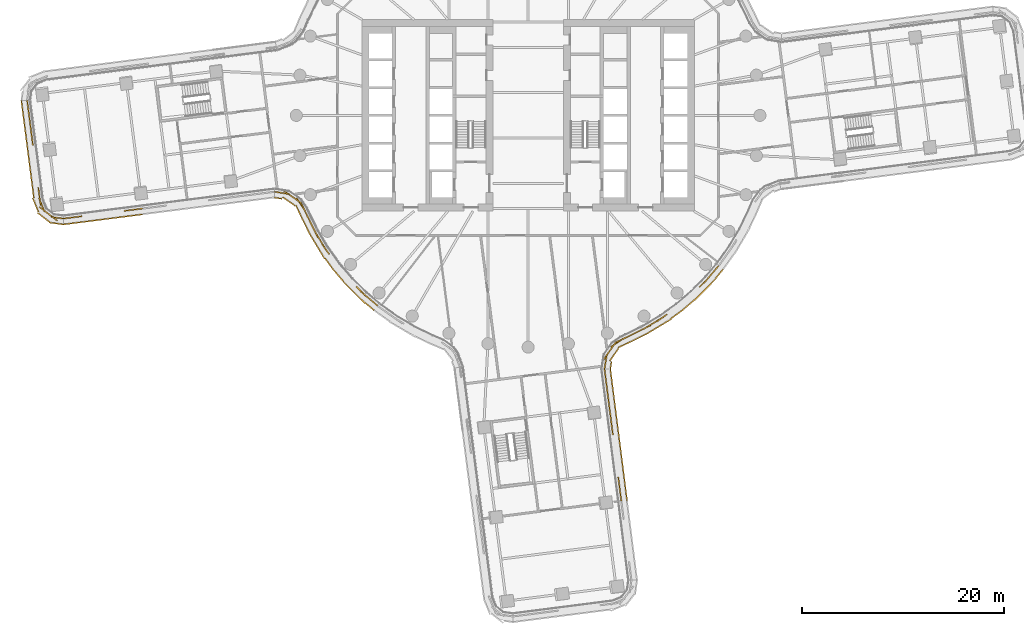
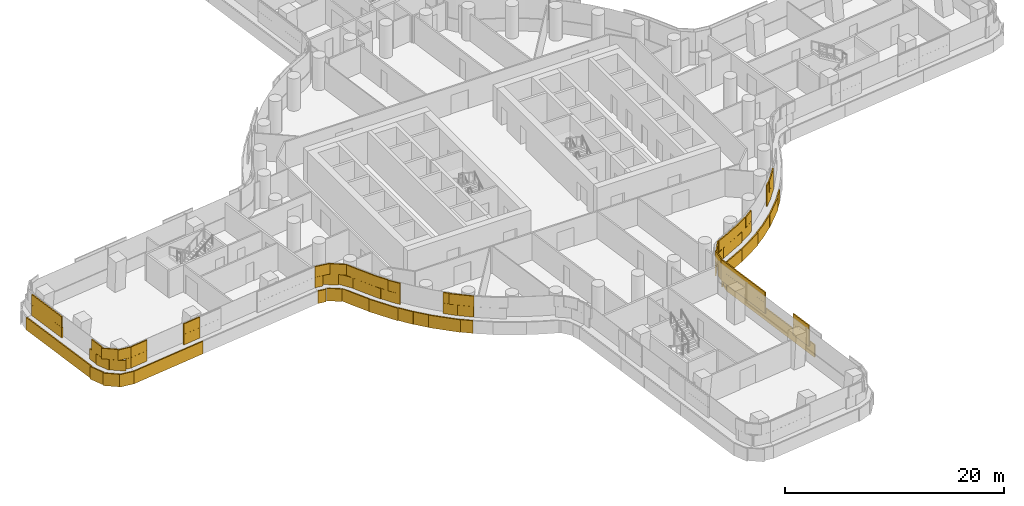
# One storey, part 26 of 31: 5 coverings.
"""IFC4 building model written with IfcOpenShell, lengths in metres."""

from ifc_helpers import new_model, si_unit, direction, frame, origin, origin_2d, place, context, subcontext, project, spatial, rectangle, extrude, material, layer, layer_set, type_object, element, save


model = new_model("IFC4")

# Units and contexts
model_context = context("Model", 3, precision=1e-05, world=origin(), true_north=direction((0.0, 1.0)))
body_context = subcontext(model_context, "Body", "Model", "MODEL_VIEW")
ifc_project = project(units=[si_unit("LENGTHUNIT", "METRE"), si_unit("AREAUNIT", "SQUARE_METRE"), si_unit("VOLUMEUNIT", "CUBIC_METRE"), si_unit("PLANEANGLEUNIT", "RADIAN"), si_unit("MASSUNIT", "GRAM", prefix="KILO")], contexts=[model_context])

# Site, building, storey
site_placement = place(None, origin())
site = spatial("IfcSite", under=ifc_project, at=site_placement, CompositionType="ELEMENT")
building_placement = place(site_placement, origin())
building = spatial("IfcBuilding", under=site, at=building_placement, Name="Tamarind Cross Interchange Tower", CompositionType="ELEMENT")
storey_placement = place(building_placement, frame((0.0, 0.0, 60.25)))
storey = spatial("IfcBuildingStorey", under=building, at=storey_placement, Name="L13", CompositionType="ELEMENT", Elevation=60.25)

# Coverings
ifc_material = material(Name="Terracotta", Category="masonry")
ifc_layer = layer(ifc_material, 0.1201171875)
ifc_layer_set = layer_set([ifc_layer], Name="Terracotta")
covering_type = type_object("IfcCoveringType", Name="Terracotta baguette screen unit", PredefinedType="MOLDING", material=ifc_layer_set)
covering_1_placement = place(storey_placement, origin())
element("IfcCovering", 1, at=covering_1_placement, inside=storey, type_object=covering_type, Name="SCR-L13-00-00", PredefinedType="MOLDING", context=body_context, shape_type="SweptSolid", body=[
    extrude(rectangle(XDim=0.760009765625, YDim=0.1201171875, at=origin_2d()), frame((-49.667236328125, 1.1240234375, 1.404052734375), z_axis=(0.0, 0.0, 1.0), x_axis=(0.127300045824, -0.991864253985, 0.0)), (0.0, 0.0, 1.0), 1.1669921875),
    extrude(rectangle(XDim=1.52001953125, YDim=0.1201171875, at=origin_2d()), frame((-49.52392578125, 0.008056640625, 1.404052734375), z_axis=(0.0, 0.0, 1.0), x_axis=(0.127300045824, -0.991864253985, 0.0)), (0.0, 0.0, 1.0), 1.1669921875),
    extrude(rectangle(XDim=1.52001953125, YDim=0.1201171875, at=origin_2d()), frame((-49.3330078125, -1.479736328125, 1.404052734375), z_axis=(0.0, 0.0, 1.0), x_axis=(0.127300045824, -0.991864253985, 0.0)), (0.0, 0.0, 1.0), 1.1669921875),
    extrude(rectangle(XDim=0.784912109375, YDim=0.1201171875, at=origin_2d()), frame((-49.188232421875, -2.60791015625, 1.404052734375), z_axis=(0.0, 0.0, 1.0), x_axis=(0.127300045824, -0.991864253985, 0.0)), (0.0, 0.0, 1.0), 1.1669921875),
    extrude(rectangle(XDim=1.03515625, YDim=0.1201171875, at=origin_2d()), frame((-48.5390625, -7.666259765625, 1.404052734375), z_axis=(0.0, 0.0, 1.0), x_axis=(0.127300045824, -0.991864253985, 0.0)), (0.0, 0.0, 1.0), 1.1669921875),
    extrude(rectangle(XDim=1.52001953125, YDim=0.1201171875, at=origin_2d()), frame((-48.258056640625, -8.886962890625, 1.404052734375), z_axis=(0.0, 0.0, 1.0), x_axis=(0.379675761037, -0.925119622795, 0.0)), (0.0, 0.0, 1.0), 1.1669921875),
    extrude(rectangle(XDim=1.52001953125, YDim=0.1201171875, at=origin_2d()), frame((-47.31591796875, -9.990478515625, 1.404052734375), z_axis=(0.0, 0.0, 1.0), x_axis=(0.791368665657, -0.611339214362, 0.0)), (0.0, 0.0, 1.0), 1.1669921875),
    extrude(rectangle(XDim=0.509521484375, YDim=0.1201171875, at=origin_2d()), frame((-46.36083984375, -10.20947265625, 1.404052734375), z_axis=(0.0, 0.0, 1.0), x_axis=(0.991014975399, -0.133750957139, 0.0)), (0.0, 0.0, 1.0), 1.1669921875),
    extrude(rectangle(XDim=1.510009765625, YDim=0.1201171875, at=origin_2d()), frame((-49.619384765625, 0.751953125, 2.5791015625), z_axis=(0.0, 0.0, 1.0), x_axis=(0.127300045824, -0.991864253985, 0.0)), (0.0, 0.0, 1.0), 1.1669921875),
    extrude(rectangle(XDim=1.52001953125, YDim=0.1201171875, at=origin_2d()), frame((-49.428466796875, -0.73583984375, 2.5791015625), z_axis=(0.0, 0.0, 1.0), x_axis=(0.127300045824, -0.991864253985, 0.0)), (0.0, 0.0, 1.0), 1.1669921875),
    extrude(rectangle(XDim=1.52001953125, YDim=0.1201171875, at=origin_2d()), frame((-49.237548828125, -2.2236328125, 2.5791015625), z_axis=(0.0, 0.0, 1.0), x_axis=(0.127300045824, -0.991864253985, 0.0)), (0.0, 0.0, 1.0), 1.1669921875),
    extrude(rectangle(XDim=1.52001953125, YDim=0.1201171875, at=origin_2d()), frame((-48.473876953125, -8.1748046875, 2.5791015625), z_axis=(0.0, 0.0, 1.0), x_axis=(0.127300045824, -0.991864253985, 0.0)), (0.0, 0.0, 1.0), 1.1669921875),
    extrude(rectangle(XDim=1.52001953125, YDim=0.1201171875, at=origin_2d()), frame((-47.909423828125, -9.531982421875, 2.5791015625), z_axis=(0.0, 0.0, 1.0), x_axis=(0.791368665657, -0.611339214362, 0.0)), (0.0, 0.0, 1.0), 1.1669921875),
    extrude(rectangle(XDim=1.259521484375, YDim=0.1201171875, at=origin_2d()), frame((-46.732421875, -10.159423828125, 2.5791015625), z_axis=(0.0, 0.0, 1.0), x_axis=(0.991014975399, -0.133750957139, 0.0)), (0.0, 0.0, 1.0), 1.1669921875),
    extrude(rectangle(XDim=0.760009765625, YDim=0.1201171875, at=origin_2d()), frame((-50.24560546875, 1.120849609375, 0.00390625), z_axis=(0.0, 0.0, 1.0), x_axis=(0.127300045824, -0.991864253985, 0.0)), (0.0, 0.0, 1.0), 1.39208984375),
    extrude(rectangle(XDim=1.52001953125, YDim=0.1201171875, at=origin_2d()), frame((-50.10302734375, 0.010009765625, 0.00390625), z_axis=(0.0, 0.0, 1.0), x_axis=(0.127300045824, -0.991864253985, 0.0)), (0.0, 0.0, 1.0), 1.39208984375),
    extrude(rectangle(XDim=1.52001953125, YDim=0.1201171875, at=origin_2d()), frame((-49.912109375, -1.477783203125, 0.00390625), z_axis=(0.0, 0.0, 1.0), x_axis=(0.127300045824, -0.991864253985, 0.0)), (0.0, 0.0, 1.0), 1.39208984375),
    extrude(rectangle(XDim=1.52001953125, YDim=0.1201171875, at=origin_2d()), frame((-49.72119140625, -2.965576171875, 0.00390625), z_axis=(0.0, 0.0, 1.0), x_axis=(0.127300045824, -0.991864253985, 0.0)), (0.0, 0.0, 1.0), 1.39208984375),
    extrude(rectangle(XDim=1.52001953125, YDim=0.1201171875, at=origin_2d()), frame((-49.530029296875, -4.453369140625, 0.00390625), z_axis=(0.0, 0.0, 1.0), x_axis=(0.127300045824, -0.991864253985, 0.0)), (0.0, 0.0, 1.0), 1.39208984375),
    extrude(rectangle(XDim=1.52001953125, YDim=0.1201171875, at=origin_2d()), frame((-49.339111328125, -5.941162109375, 0.00390625), z_axis=(0.0, 0.0, 1.0), x_axis=(0.127300045824, -0.991864253985, 0.0)), (0.0, 0.0, 1.0), 1.39208984375),
    extrude(rectangle(XDim=1.52001953125, YDim=0.1201171875, at=origin_2d()), frame((-49.148193359375, -7.428955078125, 0.00390625), z_axis=(0.0, 0.0, 1.0), x_axis=(0.127300045824, -0.991864253985, 0.0)), (0.0, 0.0, 1.0), 1.39208984375),
    extrude(rectangle(XDim=1.52001953125, YDim=0.1201171875, at=origin_2d()), frame((-48.875244140625, -8.89501953125, 0.00390625), z_axis=(0.0, 0.0, 1.0), x_axis=(0.379675761037, -0.925119622795, 0.0)), (0.0, 0.0, 1.0), 1.39208984375),
    extrude(rectangle(XDim=1.52001953125, YDim=0.1201171875, at=origin_2d()), frame((-48.08984375, -10.1181640625, 0.00390625), z_axis=(0.0, 0.0, 1.0), x_axis=(0.791368665657, -0.611339214362, 0.0)), (0.0, 0.0, 1.0), 1.39208984375),
    extrude(rectangle(XDim=1.4267578125, YDim=0.1201171875, at=origin_2d()), frame((-46.822509765625, -10.726318359375, 0.00390625), z_axis=(0.0, 0.0, 1.0), x_axis=(0.991014975399, -0.133750957139, 0.0)), (0.0, 0.0, 1.0), 1.39208984375),
])
covering_2_placement = place(storey_placement, origin())
element("IfcCovering", 2, at=covering_2_placement, inside=storey, type_object=covering_type, Name="SCR-L13-01-00", PredefinedType="MOLDING", context=body_context, shape_type="SweptSolid", body=[
    extrude(rectangle(XDim=0.760009765625, YDim=0.1201171875, at=origin_2d()), frame((-45.7412109375, -10.195556640625, 1.404052734375), z_axis=(0.0, 0.0, 1.0), x_axis=(0.992009784455, 0.126160958881, 0.0)), (0.0, 0.0, 1.0), 1.1669921875),
    extrude(rectangle(XDim=1.1142578125, YDim=0.1201171875, at=origin_2d()), frame((-44.821533203125, -10.07861328125, 1.404052734375), z_axis=(0.0, 0.0, 1.0), x_axis=(0.992009784455, 0.126160958881, 0.0)), (0.0, 0.0, 1.0), 1.1669921875),
    extrude(rectangle(XDim=0.705810546875, YDim=0.1201171875, at=origin_2d()), frame((-39.76220703125, -9.435302734375, 1.404052734375), z_axis=(0.0, 0.0, 1.0), x_axis=(0.992009784455, 0.126160958881, 0.0)), (0.0, 0.0, 1.0), 1.1669921875),
    extrude(rectangle(XDim=1.16845703125, YDim=0.1201171875, at=origin_2d()), frame((-38.842529296875, -9.318359375, 1.404052734375), z_axis=(0.0, 0.0, 1.0), x_axis=(0.992009784455, 0.126160958881, 0.0)), (0.0, 0.0, 1.0), 1.1669921875),
    extrude(rectangle(XDim=1.510009765625, YDim=0.1201171875, at=origin_2d()), frame((-45.369140625, -10.148193359375, 2.5791015625), z_axis=(0.0, 0.0, 1.0), x_axis=(0.992009784455, 0.126160958881, 0.0)), (0.0, 0.0, 1.0), 1.1669921875),
    extrude(rectangle(XDim=0.3642578125, YDim=0.1201171875, at=origin_2d()), frame((-44.449462890625, -10.03125, 2.5791015625), z_axis=(0.0, 0.0, 1.0), x_axis=(0.992009784455, 0.126160958881, 0.0)), (0.0, 0.0, 1.0), 1.1669921875),
    extrude(rectangle(XDim=1.455810546875, YDim=0.1201171875, at=origin_2d()), frame((-39.39013671875, -9.387939453125, 2.5791015625), z_axis=(0.0, 0.0, 1.0), x_axis=(0.992009784455, 0.126160958881, 0.0)), (0.0, 0.0, 1.0), 1.1669921875),
    extrude(rectangle(XDim=0.41845703125, YDim=0.1201171875, at=origin_2d()), frame((-38.470458984375, -9.27099609375, 2.5791015625), z_axis=(0.0, 0.0, 1.0), x_axis=(0.992009784455, 0.126160958881, 0.0)), (0.0, 0.0, 1.0), 1.1669921875),
    extrude(rectangle(XDim=0.760009765625, YDim=0.1201171875, at=origin_2d()), frame((-45.738525390625, -10.77392578125, 0.00390625), z_axis=(0.0, 0.0, 1.0), x_axis=(0.992009784455, 0.126160958881, 0.0)), (0.0, 0.0, 1.0), 1.39208984375),
    extrude(rectangle(XDim=1.52001953125, YDim=0.1201171875, at=origin_2d()), frame((-44.62744140625, -10.632568359375, 0.00390625), z_axis=(0.0, 0.0, 1.0), x_axis=(0.992009784455, 0.126160958881, 0.0)), (0.0, 0.0, 1.0), 1.39208984375),
    extrude(rectangle(XDim=1.52001953125, YDim=0.1201171875, at=origin_2d()), frame((-43.139404296875, -10.443359375, 0.00390625), z_axis=(0.0, 0.0, 1.0), x_axis=(0.992009784455, 0.126160958881, 0.0)), (0.0, 0.0, 1.0), 1.39208984375),
    extrude(rectangle(XDim=1.52001953125, YDim=0.1201171875, at=origin_2d()), frame((-41.6513671875, -10.254150390625, 0.00390625), z_axis=(0.0, 0.0, 1.0), x_axis=(0.992009784455, 0.126160958881, 0.0)), (0.0, 0.0, 1.0), 1.39208984375),
    extrude(rectangle(XDim=1.52001953125, YDim=0.1201171875, at=origin_2d()), frame((-40.163330078125, -10.06494140625, 0.00390625), z_axis=(0.0, 0.0, 1.0), x_axis=(0.992009784455, 0.126160958881, 0.0)), (0.0, 0.0, 1.0), 1.39208984375),
    extrude(rectangle(XDim=1.16552734375, YDim=0.1201171875, at=origin_2d()), frame((-38.85107421875, -9.89794921875, 0.00390625), z_axis=(0.0, 0.0, 1.0), x_axis=(0.992009784455, 0.126160958881, 0.0)), (0.0, 0.0, 1.0), 1.39208984375),
])
covering_3_placement = place(storey_placement, origin())
element("IfcCovering", 3, at=covering_3_placement, inside=storey, type_object=covering_type, Name="SCR-L13-02-00", PredefinedType="MOLDING", context=body_context, shape_type="SweptSolid", body=[
    extrude(rectangle(XDim=0.760009765625, YDim=0.1201171875, at=origin_2d()), frame((-24.785400390625, -7.6376953125, 1.404052734375), z_axis=(0.0, 0.0, 1.0), x_axis=(0.987085279607, -0.160195664056, 0.0)), (0.0, 0.0, 1.0), 1.1669921875),
    extrude(rectangle(XDim=1.52001953125, YDim=0.1201171875, at=origin_2d()), frame((-23.69580078125, -7.869140625, 1.404052734375), z_axis=(0.0, 0.0, 1.0), x_axis=(0.820329529316, -0.571891128916, 0.0)), (0.0, 0.0, 1.0), 1.1669921875),
    extrude(rectangle(XDim=1.52001953125, YDim=0.1201171875, at=origin_2d()), frame((-22.560546875, -8.82080078125, 1.404052734375), z_axis=(0.0, 0.0, 1.0), x_axis=(0.558933746342, -0.829212317323, 0.0)), (0.0, 0.0, 1.0), 1.1669921875),
    extrude(rectangle(XDim=1.52001953125, YDim=0.1201171875, at=origin_2d()), frame((-21.83740234375, -10.130615234375, 1.404052734375), z_axis=(0.0, 0.0, 1.0), x_axis=(0.443058811505, -0.896492548518, 0.0)), (0.0, 0.0, 1.0), 1.1669921875),
    extrude(rectangle(XDim=1.52001953125, YDim=0.1201171875, at=origin_2d()), frame((-21.1728515625, -11.475341796875, 1.404052734375), z_axis=(0.0, 0.0, 1.0), x_axis=(0.443058811505, -0.896492548518, 0.0)), (0.0, 0.0, 1.0), 1.1669921875),
    extrude(rectangle(XDim=1.52001953125, YDim=0.1201171875, at=origin_2d()), frame((-20.40576171875, -12.763916015625, 1.404052734375), z_axis=(0.0, 0.0, 1.0), x_axis=(0.515577308909, -0.856843065292, 0.0)), (0.0, 0.0, 1.0), 1.1669921875),
    extrude(rectangle(XDim=0.478759765625, YDim=0.1201171875, at=origin_2d()), frame((-19.870361328125, -13.589111328125, 1.404052734375), z_axis=(0.0, 0.0, 1.0), x_axis=(0.584573890505, -0.811340475102, 0.0)), (0.0, 0.0, 1.0), 1.1669921875),
    extrude(rectangle(XDim=1.34130859375, YDim=0.1201171875, at=origin_2d()), frame((-16.568359375, -17.4619140625, 1.404052734375), z_axis=(0.0, 0.0, 1.0), x_axis=(0.710143317658, -0.704057148523, 0.0)), (0.0, 0.0, 1.0), 1.1669921875),
    extrude(rectangle(XDim=1.52001953125, YDim=0.1201171875, at=origin_2d()), frame((-15.51025390625, -18.400634765625, 1.404052734375), z_axis=(0.0, 0.0, 1.0), x_axis=(0.765858396687, -0.643009266048, 0.0)), (0.0, 0.0, 1.0), 1.1669921875),
    extrude(rectangle(XDim=1.510009765625, YDim=0.1201171875, at=origin_2d()), frame((-24.415283203125, -7.69775390625, 2.5791015625), z_axis=(0.0, 0.0, 1.0), x_axis=(0.987085279607, -0.160195664056, 0.0)), (0.0, 0.0, 1.0), 1.1669921875),
    extrude(rectangle(XDim=1.52001953125, YDim=0.1201171875, at=origin_2d()), frame((-23.08056640625, -8.298095703125, 2.5791015625), z_axis=(0.0, 0.0, 1.0), x_axis=(0.820329529316, -0.571891128916, 0.0)), (0.0, 0.0, 1.0), 1.1669921875),
    extrude(rectangle(XDim=1.52001953125, YDim=0.1201171875, at=origin_2d()), frame((-22.162353515625, -9.45458984375, 2.5791015625), z_axis=(0.0, 0.0, 1.0), x_axis=(0.422461034467, -0.906381086716, 0.0)), (0.0, 0.0, 1.0), 1.1669921875),
    extrude(rectangle(XDim=1.52001953125, YDim=0.1201171875, at=origin_2d()), frame((-21.505126953125, -10.802978515625, 2.5791015625), z_axis=(0.0, 0.0, 1.0), x_axis=(0.443058811505, -0.896492548518, 0.0)), (0.0, 0.0, 1.0), 1.1669921875),
    extrude(rectangle(XDim=1.52001953125, YDim=0.1201171875, at=origin_2d()), frame((-20.79248046875, -12.121337890625, 2.5791015625), z_axis=(0.0, 0.0, 1.0), x_axis=(0.515577308909, -0.856843065292, 0.0)), (0.0, 0.0, 1.0), 1.1669921875),
    extrude(rectangle(XDim=1.228759765625, YDim=0.1201171875, at=origin_2d()), frame((-20.089599609375, -13.28466796875, 2.5791015625), z_axis=(0.0, 0.0, 1.0), x_axis=(0.584573890505, -0.811340475102, 0.0)), (0.0, 0.0, 1.0), 1.1669921875),
    extrude(rectangle(XDim=0.59130859375, YDim=0.1201171875, at=origin_2d()), frame((-16.834716796875, -17.19775390625, 2.5791015625), z_axis=(0.0, 0.0, 1.0), x_axis=(0.710143317658, -0.704057148523, 0.0)), (0.0, 0.0, 1.0), 1.1669921875),
    extrude(rectangle(XDim=1.52001953125, YDim=0.1201171875, at=origin_2d()), frame((-16.08447265625, -17.91845703125, 2.5791015625), z_axis=(0.0, 0.0, 1.0), x_axis=(0.765858396687, -0.643009266048, 0.0)), (0.0, 0.0, 1.0), 1.1669921875),
    extrude(rectangle(XDim=0.776123046875, YDim=0.1201171875, at=origin_2d()), frame((-15.216796875, -18.64697265625, 2.5791015625), z_axis=(0.0, 0.0, 1.0), x_axis=(0.765858396687, -0.643009266048, 0.0)), (0.0, 0.0, 1.0), 1.1669921875),
    extrude(rectangle(XDim=0.760009765625, YDim=0.1201171875, at=origin_2d()), frame((-24.79052734375, -8.21826171875, 0.00390625), z_axis=(0.0, 0.0, 1.0), x_axis=(0.987085279607, -0.160195664056, 0.0)), (0.0, 0.0, 1.0), 1.39208984375),
    extrude(rectangle(XDim=1.52001953125, YDim=0.1201171875, at=origin_2d()), frame((-23.741455078125, -8.537109375, 0.00390625), z_axis=(0.0, 0.0, 1.0), x_axis=(0.820329529316, -0.571891128916, 0.0)), (0.0, 0.0, 1.0), 1.39208984375),
    extrude(rectangle(XDim=1.52001953125, YDim=0.1201171875, at=origin_2d()), frame((-22.725341796875, -9.605712890625, 0.00390625), z_axis=(0.0, 0.0, 1.0), x_axis=(0.422461034467, -0.906381086716, 0.0)), (0.0, 0.0, 1.0), 1.39208984375),
    extrude(rectangle(XDim=1.52001953125, YDim=0.1201171875, at=origin_2d()), frame((-22.0703125, -10.954833984375, 0.00390625), z_axis=(0.0, 0.0, 1.0), x_axis=(0.443058811505, -0.896492548518, 0.0)), (0.0, 0.0, 1.0), 1.39208984375),
    extrude(rectangle(XDim=1.52001953125, YDim=0.1201171875, at=origin_2d()), frame((-21.36767578125, -12.27880859375, 0.00390625), z_axis=(0.0, 0.0, 1.0), x_axis=(0.515577308909, -0.856843065292, 0.0)), (0.0, 0.0, 1.0), 1.39208984375),
    extrude(rectangle(XDim=1.52001953125, YDim=0.1201171875, at=origin_2d()), frame((-20.59423828125, -13.564208984375, 0.00390625), z_axis=(0.0, 0.0, 1.0), x_axis=(0.515577308909, -0.856843065292, 0.0)), (0.0, 0.0, 1.0), 1.39208984375),
    extrude(rectangle(XDim=1.52001953125, YDim=0.1201171875, at=origin_2d()), frame((-19.718505859375, -14.78173828125, 0.00390625), z_axis=(0.0, 0.0, 1.0), x_axis=(0.584573890505, -0.811340475102, 0.0)), (0.0, 0.0, 1.0), 1.39208984375),
    extrude(rectangle(XDim=1.52001953125, YDim=0.1201171875, at=origin_2d()), frame((-18.780029296875, -15.950439453125, 0.00390625), z_axis=(0.0, 0.0, 1.0), x_axis=(0.64957723968, -0.760295606781, 0.0)), (0.0, 0.0, 1.0), 1.39208984375),
    extrude(rectangle(XDim=1.52001953125, YDim=0.1201171875, at=origin_2d()), frame((-17.781005859375, -17.06787109375, 0.00390625), z_axis=(0.0, 0.0, 1.0), x_axis=(0.710143317658, -0.704057148523, 0.0)), (0.0, 0.0, 1.0), 1.39208984375),
    extrude(rectangle(XDim=1.52001953125, YDim=0.1201171875, at=origin_2d()), frame((-16.7158203125, -18.1240234375, 0.00390625), z_axis=(0.0, 0.0, 1.0), x_axis=(0.710143317658, -0.704057148523, 0.0)), (0.0, 0.0, 1.0), 1.39208984375),
    extrude(rectangle(XDim=1.144775390625, YDim=0.1201171875, at=origin_2d()), frame((-15.7177734375, -18.975830078125, 0.00390625), z_axis=(0.0, 0.0, 1.0), x_axis=(0.765858396687, -0.643009266048, 0.0)), (0.0, 0.0, 1.0), 1.39208984375),
])
covering_4_placement = place(storey_placement, origin())
element("IfcCovering", 4, at=covering_4_placement, inside=storey, type_object=covering_type, Name="SCR-L13-05-01", PredefinedType="MOLDING", context=body_context, shape_type="SweptSolid", body=[
    extrude(rectangle(XDim=0.3515625, YDim=0.1201171875, at=origin_2d()), frame((9.2236328125, -38.098388671875, 1.404052734375), z_axis=(0.0, 0.0, 1.0), x_axis=(-0.126160958881, 0.992009784455, 0.0)), (0.0, 0.0, 1.0), 1.1669921875),
    extrude(rectangle(XDim=1.52001953125, YDim=0.1201171875, at=origin_2d()), frame((9.107421875, -37.18505859375, 1.404052734375), z_axis=(0.0, 0.0, 1.0), x_axis=(-0.126160958881, 0.992009784455, 0.0)), (0.0, 0.0, 1.0), 1.1669921875),
    extrude(rectangle(XDim=0.568359375, YDim=0.1201171875, at=origin_2d()), frame((8.9775390625, -36.164306640625, 1.404052734375), z_axis=(0.0, 0.0, 1.0), x_axis=(-0.126160958881, 0.992009784455, 0.0)), (0.0, 0.0, 1.0), 1.1669921875),
    extrude(rectangle(XDim=1.251708984375, YDim=0.1201171875, at=origin_2d()), frame((8.334228515625, -31.10498046875, 1.404052734375), z_axis=(0.0, 0.0, 1.0), x_axis=(-0.126160958881, 0.992009784455, 0.0)), (0.0, 0.0, 1.0), 1.1669921875),
    extrude(rectangle(XDim=1.52001953125, YDim=0.1201171875, at=origin_2d()), frame((8.161376953125, -29.7451171875, 1.404052734375), z_axis=(0.0, 0.0, 1.0), x_axis=(-0.126160958881, 0.992009784455, 0.0)), (0.0, 0.0, 1.0), 1.1669921875),
    extrude(rectangle(XDim=1.52001953125, YDim=0.1201171875, at=origin_2d()), frame((7.971923828125, -28.257080078125, 1.404052734375), z_axis=(0.0, 0.0, 1.0), x_axis=(-0.126160958881, 0.992009784455, 0.0)), (0.0, 0.0, 1.0), 1.1669921875),
    extrude(rectangle(XDim=1.52001953125, YDim=0.1201171875, at=origin_2d()), frame((7.78271484375, -26.76904296875, 1.404052734375), z_axis=(0.0, 0.0, 1.0), x_axis=(-0.126160958881, 0.992009784455, 0.0)), (0.0, 0.0, 1.0), 1.1669921875),
    extrude(rectangle(XDim=0.886474609375, YDim=0.1201171875, at=origin_2d()), frame((7.6328125, -25.59033203125, 1.404052734375), z_axis=(0.0, 0.0, 1.0), x_axis=(-0.126160958881, 0.992009784455, 0.0)), (0.0, 0.0, 1.0), 1.1669921875),
    extrude(rectangle(XDim=1.1015625, YDim=0.1201171875, at=origin_2d()), frame((9.17626953125, -37.7265625, 2.5791015625), z_axis=(0.0, 0.0, 1.0), x_axis=(-0.126160958881, 0.992009784455, 0.0)), (0.0, 0.0, 1.0), 1.1669921875),
    extrude(rectangle(XDim=1.318359375, YDim=0.1201171875, at=origin_2d()), frame((9.02490234375, -36.5361328125, 2.5791015625), z_axis=(0.0, 0.0, 1.0), x_axis=(-0.126160958881, 0.992009784455, 0.0)), (0.0, 0.0, 1.0), 1.1669921875),
    extrude(rectangle(XDim=0.501708984375, YDim=0.1201171875, at=origin_2d()), frame((8.381591796875, -31.47705078125, 2.5791015625), z_axis=(0.0, 0.0, 1.0), x_axis=(-0.126160958881, 0.992009784455, 0.0)), (0.0, 0.0, 1.0), 1.1669921875),
    extrude(rectangle(XDim=1.52001953125, YDim=0.1201171875, at=origin_2d()), frame((8.255859375, -30.489013671875, 2.5791015625), z_axis=(0.0, 0.0, 1.0), x_axis=(-0.126160958881, 0.992009784455, 0.0)), (0.0, 0.0, 1.0), 1.1669921875),
    extrude(rectangle(XDim=1.52001953125, YDim=0.1201171875, at=origin_2d()), frame((8.066650390625, -29.0009765625, 2.5791015625), z_axis=(0.0, 0.0, 1.0), x_axis=(-0.126160958881, 0.992009784455, 0.0)), (0.0, 0.0, 1.0), 1.1669921875),
    extrude(rectangle(XDim=1.52001953125, YDim=0.1201171875, at=origin_2d()), frame((7.87744140625, -27.512939453125, 2.5791015625), z_axis=(0.0, 0.0, 1.0), x_axis=(-0.126160958881, 0.992009784455, 0.0)), (0.0, 0.0, 1.0), 1.1669921875),
    extrude(rectangle(XDim=1.52001953125, YDim=0.1201171875, at=origin_2d()), frame((7.688232421875, -26.02490234375, 2.5791015625), z_axis=(0.0, 0.0, 1.0), x_axis=(-0.126160958881, 0.992009784455, 0.0)), (0.0, 0.0, 1.0), 1.1669921875),
    extrude(rectangle(XDim=0.136474609375, YDim=0.1201171875, at=origin_2d()), frame((7.585693359375, -25.21826171875, 2.5791015625), z_axis=(0.0, 0.0, 1.0), x_axis=(-0.126160958881, 0.992009784455, 0.0)), (0.0, 0.0, 1.0), 1.1669921875),
    extrude(rectangle(XDim=0.3544921875, YDim=0.1201171875, at=origin_2d()), frame((9.802001953125, -38.09716796875, 0.00390625), z_axis=(0.0, 0.0, 1.0), x_axis=(-0.126160958881, 0.992009784455, 0.0)), (0.0, 0.0, 1.0), 1.39208984375),
    extrude(rectangle(XDim=1.52001953125, YDim=0.1201171875, at=origin_2d()), frame((9.686279296875, -37.187255859375, 0.00390625), z_axis=(0.0, 0.0, 1.0), x_axis=(-0.126160958881, 0.992009784455, 0.0)), (0.0, 0.0, 1.0), 1.39208984375),
    extrude(rectangle(XDim=1.52001953125, YDim=0.1201171875, at=origin_2d()), frame((9.4970703125, -35.69921875, 0.00390625), z_axis=(0.0, 0.0, 1.0), x_axis=(-0.126160958881, 0.992009784455, 0.0)), (0.0, 0.0, 1.0), 1.39208984375),
    extrude(rectangle(XDim=1.52001953125, YDim=0.1201171875, at=origin_2d()), frame((9.307861328125, -34.21142578125, 0.00390625), z_axis=(0.0, 0.0, 1.0), x_axis=(-0.126160958881, 0.992009784455, 0.0)), (0.0, 0.0, 1.0), 1.39208984375),
    extrude(rectangle(XDim=1.52001953125, YDim=0.1201171875, at=origin_2d()), frame((9.11865234375, -32.723388671875, 0.00390625), z_axis=(0.0, 0.0, 1.0), x_axis=(-0.126160958881, 0.992009784455, 0.0)), (0.0, 0.0, 1.0), 1.39208984375),
    extrude(rectangle(XDim=1.52001953125, YDim=0.1201171875, at=origin_2d()), frame((8.929443359375, -31.2353515625, 0.00390625), z_axis=(0.0, 0.0, 1.0), x_axis=(-0.126160958881, 0.992009784455, 0.0)), (0.0, 0.0, 1.0), 1.39208984375),
    extrude(rectangle(XDim=1.52001953125, YDim=0.1201171875, at=origin_2d()), frame((8.740234375, -29.747314453125, 0.00390625), z_axis=(0.0, 0.0, 1.0), x_axis=(-0.126160958881, 0.992009784455, 0.0)), (0.0, 0.0, 1.0), 1.39208984375),
    extrude(rectangle(XDim=1.52001953125, YDim=0.1201171875, at=origin_2d()), frame((8.551025390625, -28.25927734375, 0.00390625), z_axis=(0.0, 0.0, 1.0), x_axis=(-0.126160958881, 0.992009784455, 0.0)), (0.0, 0.0, 1.0), 1.39208984375),
    extrude(rectangle(XDim=1.52001953125, YDim=0.1201171875, at=origin_2d()), frame((8.36181640625, -26.771240234375, 0.00390625), z_axis=(0.0, 0.0, 1.0), x_axis=(-0.126160958881, 0.992009784455, 0.0)), (0.0, 0.0, 1.0), 1.39208984375),
    extrude(rectangle(XDim=0.878662109375, YDim=0.1201171875, at=origin_2d()), frame((8.212890625, -25.601318359375, 0.00390625), z_axis=(0.0, 0.0, 1.0), x_axis=(-0.126160958881, 0.992009784455, 0.0)), (0.0, 0.0, 1.0), 1.39208984375),
])
covering_5_placement = place(storey_placement, origin())
element("IfcCovering", 5, at=covering_5_placement, inside=storey, type_object=covering_type, Name="SCR-L13-06-00", PredefinedType="MOLDING", context=body_context, shape_type="SweptSolid", body=[
    extrude(rectangle(XDim=0.760009765625, YDim=0.1201171875, at=origin_2d()), frame((7.6376953125, -24.785400390625, 1.404052734375), z_axis=(0.0, 0.0, 1.0), x_axis=(0.160195664056, 0.987085279607, 0.0)), (0.0, 0.0, 1.0), 1.1669921875),
    extrude(rectangle(XDim=1.52001953125, YDim=0.1201171875, at=origin_2d()), frame((7.869140625, -23.69580078125, 1.404052734375), z_axis=(0.0, 0.0, 1.0), x_axis=(0.571891128916, 0.820329529316, 0.0)), (0.0, 0.0, 1.0), 1.1669921875),
    extrude(rectangle(XDim=1.52001953125, YDim=0.1201171875, at=origin_2d()), frame((8.82080078125, -22.560546875, 1.404052734375), z_axis=(0.0, 0.0, 1.0), x_axis=(0.829212317323, 0.558933746342, 0.0)), (0.0, 0.0, 1.0), 1.1669921875),
    extrude(rectangle(XDim=1.52001953125, YDim=0.1201171875, at=origin_2d()), frame((10.130615234375, -21.83740234375, 1.404052734375), z_axis=(0.0, 0.0, 1.0), x_axis=(0.896492548518, 0.443058811505, 0.0)), (0.0, 0.0, 1.0), 1.1669921875),
    extrude(rectangle(XDim=1.52001953125, YDim=0.1201171875, at=origin_2d()), frame((11.475341796875, -21.1728515625, 1.404052734375), z_axis=(0.0, 0.0, 1.0), x_axis=(0.896492548518, 0.443058811505, 0.0)), (0.0, 0.0, 1.0), 1.1669921875),
    extrude(rectangle(XDim=1.52001953125, YDim=0.1201171875, at=origin_2d()), frame((12.763916015625, -20.40576171875, 1.404052734375), z_axis=(0.0, 0.0, 1.0), x_axis=(0.856843065292, 0.515577308909, 0.0)), (0.0, 0.0, 1.0), 1.1669921875),
    extrude(rectangle(XDim=0.478759765625, YDim=0.1201171875, at=origin_2d()), frame((13.589111328125, -19.870361328125, 1.404052734375), z_axis=(0.0, 0.0, 1.0), x_axis=(0.811340475102, 0.584573890505, 0.0)), (0.0, 0.0, 1.0), 1.1669921875),
    extrude(rectangle(XDim=1.34130859375, YDim=0.1201171875, at=origin_2d()), frame((17.4619140625, -16.568359375, 1.404052734375), z_axis=(0.0, 0.0, 1.0), x_axis=(0.704057148523, 0.710143317658, 0.0)), (0.0, 0.0, 1.0), 1.1669921875),
    extrude(rectangle(XDim=1.52001953125, YDim=0.1201171875, at=origin_2d()), frame((18.400634765625, -15.51025390625, 1.404052734375), z_axis=(0.0, 0.0, 1.0), x_axis=(0.643009266048, 0.765858396687, 0.0)), (0.0, 0.0, 1.0), 1.1669921875),
    extrude(rectangle(XDim=1.510009765625, YDim=0.1201171875, at=origin_2d()), frame((7.69775390625, -24.415283203125, 2.5791015625), z_axis=(0.0, 0.0, 1.0), x_axis=(0.160195664056, 0.987085279607, 0.0)), (0.0, 0.0, 1.0), 1.1669921875),
    extrude(rectangle(XDim=1.52001953125, YDim=0.1201171875, at=origin_2d()), frame((8.298095703125, -23.08056640625, 2.5791015625), z_axis=(0.0, 0.0, 1.0), x_axis=(0.571891128916, 0.820329529316, 0.0)), (0.0, 0.0, 1.0), 1.1669921875),
    extrude(rectangle(XDim=1.52001953125, YDim=0.1201171875, at=origin_2d()), frame((9.45458984375, -22.162353515625, 2.5791015625), z_axis=(0.0, 0.0, 1.0), x_axis=(0.906381086716, 0.422461034467, 0.0)), (0.0, 0.0, 1.0), 1.1669921875),
    extrude(rectangle(XDim=1.52001953125, YDim=0.1201171875, at=origin_2d()), frame((10.802978515625, -21.505126953125, 2.5791015625), z_axis=(0.0, 0.0, 1.0), x_axis=(0.896492548518, 0.443058811505, 0.0)), (0.0, 0.0, 1.0), 1.1669921875),
    extrude(rectangle(XDim=1.52001953125, YDim=0.1201171875, at=origin_2d()), frame((12.121337890625, -20.79248046875, 2.5791015625), z_axis=(0.0, 0.0, 1.0), x_axis=(0.856843065292, 0.515577308909, 0.0)), (0.0, 0.0, 1.0), 1.1669921875),
    extrude(rectangle(XDim=1.228759765625, YDim=0.1201171875, at=origin_2d()), frame((13.28466796875, -20.089599609375, 2.5791015625), z_axis=(0.0, 0.0, 1.0), x_axis=(0.811340475102, 0.584573890505, 0.0)), (0.0, 0.0, 1.0), 1.1669921875),
    extrude(rectangle(XDim=0.59130859375, YDim=0.1201171875, at=origin_2d()), frame((17.19775390625, -16.834716796875, 2.5791015625), z_axis=(0.0, 0.0, 1.0), x_axis=(0.704057148523, 0.710143317658, 0.0)), (0.0, 0.0, 1.0), 1.1669921875),
    extrude(rectangle(XDim=1.52001953125, YDim=0.1201171875, at=origin_2d()), frame((17.91845703125, -16.08447265625, 2.5791015625), z_axis=(0.0, 0.0, 1.0), x_axis=(0.643009266048, 0.765858396687, 0.0)), (0.0, 0.0, 1.0), 1.1669921875),
    extrude(rectangle(XDim=0.776123046875, YDim=0.1201171875, at=origin_2d()), frame((18.64697265625, -15.216796875, 2.5791015625), z_axis=(0.0, 0.0, 1.0), x_axis=(0.643009266048, 0.765858396687, 0.0)), (0.0, 0.0, 1.0), 1.1669921875),
    extrude(rectangle(XDim=0.760009765625, YDim=0.1201171875, at=origin_2d()), frame((8.21826171875, -24.79052734375, 0.00390625), z_axis=(0.0, 0.0, 1.0), x_axis=(0.160195664056, 0.987085279607, 0.0)), (0.0, 0.0, 1.0), 1.39208984375),
    extrude(rectangle(XDim=1.52001953125, YDim=0.1201171875, at=origin_2d()), frame((8.537109375, -23.741455078125, 0.00390625), z_axis=(0.0, 0.0, 1.0), x_axis=(0.571891128916, 0.820329529316, 0.0)), (0.0, 0.0, 1.0), 1.39208984375),
    extrude(rectangle(XDim=1.52001953125, YDim=0.1201171875, at=origin_2d()), frame((9.605712890625, -22.725341796875, 0.00390625), z_axis=(0.0, 0.0, 1.0), x_axis=(0.906381086716, 0.422461034467, 0.0)), (0.0, 0.0, 1.0), 1.39208984375),
    extrude(rectangle(XDim=1.52001953125, YDim=0.1201171875, at=origin_2d()), frame((10.954833984375, -22.0703125, 0.00390625), z_axis=(0.0, 0.0, 1.0), x_axis=(0.896492548518, 0.443058811505, 0.0)), (0.0, 0.0, 1.0), 1.39208984375),
    extrude(rectangle(XDim=1.52001953125, YDim=0.1201171875, at=origin_2d()), frame((12.27880859375, -21.36767578125, 0.00390625), z_axis=(0.0, 0.0, 1.0), x_axis=(0.856843065292, 0.515577308909, 0.0)), (0.0, 0.0, 1.0), 1.39208984375),
    extrude(rectangle(XDim=1.52001953125, YDim=0.1201171875, at=origin_2d()), frame((13.564208984375, -20.59423828125, 0.00390625), z_axis=(0.0, 0.0, 1.0), x_axis=(0.856843065292, 0.515577308909, 0.0)), (0.0, 0.0, 1.0), 1.39208984375),
    extrude(rectangle(XDim=1.52001953125, YDim=0.1201171875, at=origin_2d()), frame((14.78173828125, -19.718505859375, 0.00390625), z_axis=(0.0, 0.0, 1.0), x_axis=(0.811340475102, 0.584573890505, 0.0)), (0.0, 0.0, 1.0), 1.39208984375),
    extrude(rectangle(XDim=1.52001953125, YDim=0.1201171875, at=origin_2d()), frame((15.950439453125, -18.780029296875, 0.00390625), z_axis=(0.0, 0.0, 1.0), x_axis=(0.760295606781, 0.64957723968, 0.0)), (0.0, 0.0, 1.0), 1.39208984375),
    extrude(rectangle(XDim=1.52001953125, YDim=0.1201171875, at=origin_2d()), frame((17.06787109375, -17.781005859375, 0.00390625), z_axis=(0.0, 0.0, 1.0), x_axis=(0.704057148523, 0.710143317658, 0.0)), (0.0, 0.0, 1.0), 1.39208984375),
    extrude(rectangle(XDim=1.52001953125, YDim=0.1201171875, at=origin_2d()), frame((18.1240234375, -16.7158203125, 0.00390625), z_axis=(0.0, 0.0, 1.0), x_axis=(0.704057148523, 0.710143317658, 0.0)), (0.0, 0.0, 1.0), 1.39208984375),
    extrude(rectangle(XDim=1.144775390625, YDim=0.1201171875, at=origin_2d()), frame((18.975830078125, -15.7177734375, 0.00390625), z_axis=(0.0, 0.0, 1.0), x_axis=(0.643009266048, 0.765858396687, 0.0)), (0.0, 0.0, 1.0), 1.39208984375),
])

save(model, "model.ifc")
